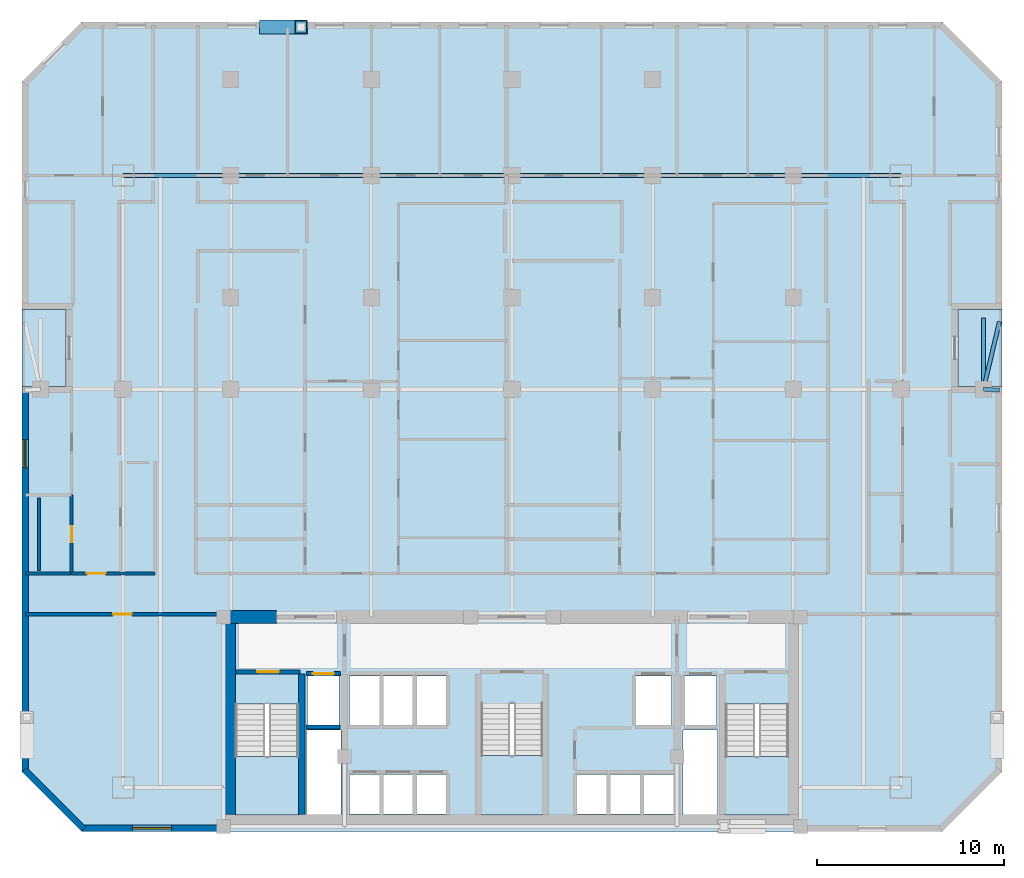
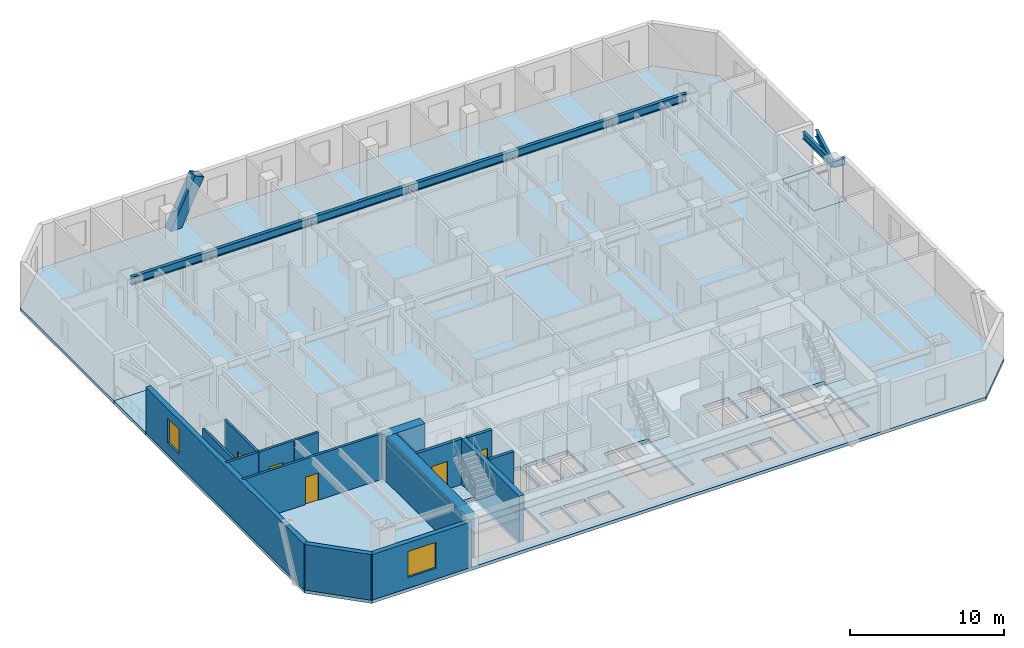
# One storey, part 2 of 10: 15 walls, 9 beams, 6 slabs, 5 doors, 2 windows, 1 member, 7 openings, 3 elements without a shape of their own.
"""IFC4 building model written with IfcOpenShell, lengths in metres."""

from ifc_helpers import new_model, si_unit, direction, frame, frame_2d, origin, origin_2d, place, context, subcontext, project, spatial, polyline, rectangle, hollow_rectangle, i_section, outline, extrude, material, layer, layer_set, material_profile, profile_set, type_object, element, fill, aggregate, save


model = new_model("IFC4")

# Units and contexts
model_context = context("Model", 3, precision=1e-05, world=origin(), true_north=direction((0.0, 1.0)))
body_context = subcontext(model_context, "Body", "Model", "MODEL_VIEW")
ifc_project = project(units=[si_unit("LENGTHUNIT", "METRE"), si_unit("AREAUNIT", "SQUARE_METRE"), si_unit("VOLUMEUNIT", "CUBIC_METRE"), si_unit("PLANEANGLEUNIT", "RADIAN"), si_unit("MASSUNIT", "GRAM", prefix="KILO")], contexts=[model_context])

# Site, building, storey
site_placement = place(None, origin())
site = spatial("IfcSite", under=ifc_project, at=site_placement, CompositionType="ELEMENT")
building_placement = place(site_placement, origin())
building = spatial("IfcBuilding", under=site, at=building_placement, Name="Ventersveld Concourse Tower", CompositionType="ELEMENT")
storey_placement = place(building_placement, frame((0.0, 0.0, 96.449951171875)))
storey = spatial("IfcBuildingStorey", under=building, at=storey_placement, Name="L23", CompositionType="ELEMENT", Elevation=96.449951171875)

# Beams
ifc_material_1 = material(Name="Structural steel S355J2", Category="steel")
ifc_material_profile_1 = material_profile(ifc_material_1, i_section(OverallWidth=0.230224609375, OverallDepth=0.6171875, WebThickness=0.01318359375, FlangeThickness=0.022216796875, FilletRadius=0.0126953125, at=origin_2d()), Name="UB 610x229x140")
ifc_profile_set_1 = profile_set([ifc_material_profile_1], Name="Structural steel S355J2")
beam_type_1 = type_object("IfcBeamType", Name="GRD-UB610", PredefinedType="USERDEFINED", material=ifc_profile_set_1)
beam_1_placement = place(storey_placement, frame((8.0, 35.0, 3.29150390625), z_axis=(1.0, 0.0, 0.0), x_axis=(0.0, 1.0, 0.0)))
element("IfcBeam", 1, at=beam_1_placement, inside=storey, type_object=beam_type_1, Name="L23 E-W Grid Girder Y=35.00 #1", ObjectType="GIRDER", PredefinedType="USERDEFINED", context=body_context, shape_type="SweptSolid", body=[
    extrude(i_section(OverallWidth=0.230224609375, OverallDepth=0.6171875, WebThickness=0.01318359375, FlangeThickness=0.022216796875, FilletRadius=0.0126953125, at=origin_2d()), origin(), (0.0, 0.0, 1.0), 5.75),
])
for number, where, z_axis, x_axis, name in (
    (2, (13.75, 35.0, 3.29150390625), (1.0, 0.0, 0.0), (0.0, 1.0, 0.0), "L23 E-W Grid Girder Y=35.00 #2"),
    (3, (21.25, 35.0, 3.29150390625), (1.0, 0.0, 0.0), (0.0, 1.0, 0.0), "L23 E-W Grid Girder Y=35.00 #3"),
    (4, (28.75, 35.0, 3.29150390625), (1.0, 0.0, 0.0), (0.0, 1.0, 0.0), "L23 E-W Grid Girder Y=35.00 #4"),
    (5, (36.25, 35.0, 3.29150390625), (1.0, 0.0, 0.0), (0.0, 1.0, 0.0), "L23 E-W Grid Girder Y=35.00 #5"),
):
    element("IfcBeam", number, at=place(storey_placement, frame(where, z_axis=z_axis, x_axis=x_axis)), inside=storey, type_object=beam_type_1, Name=name, ObjectType="GIRDER", PredefinedType="USERDEFINED", context=body_context, shape_type="SweptSolid", body=[
        extrude(i_section(OverallWidth=0.230224609375, OverallDepth=0.6171875, WebThickness=0.01318359375, FlangeThickness=0.022216796875, FilletRadius=0.0126953125, at=origin_2d()), origin(), (0.0, 0.0, 1.0), 7.5),
    ])
beam_2_placement = place(storey_placement, frame((43.75, 35.0, 3.29150390625), z_axis=(1.0, 0.0, 0.0), x_axis=(0.0, 1.0, 0.0)))
element("IfcBeam", 6, at=beam_2_placement, inside=storey, type_object=beam_type_1, Name="L23 E-W Grid Girder Y=35.00 #6", ObjectType="GIRDER", PredefinedType="USERDEFINED", context=body_context, shape_type="SweptSolid", body=[
    extrude(i_section(OverallWidth=0.230224609375, OverallDepth=0.6171875, WebThickness=0.01318359375, FlangeThickness=0.022216796875, FilletRadius=0.0126953125, at=origin_2d()), origin(), (0.0, 0.0, 1.0), 5.75),
])

# Member
ifc_material_2 = material(Name="Structural steel S355ML", Category="steel")
ifc_material_profile_2 = material_profile(ifc_material_2, hollow_rectangle(XDim=0.75, YDim=0.75, WallThickness=0.044921875, at=origin_2d()), Name="BOX 750x750x45")
ifc_profile_set_2 = profile_set([ifc_material_profile_2], Name="Structural steel S355ML")
member_type = type_object("IfcMemberType", Name="MB-750x750", PredefinedType="BRACE", material=ifc_profile_set_2)
member_placement = place(storey_placement, frame((15.625, 42.919921875, -0.25), z_axis=(0.437839464193, 0.0, 0.899053170616), x_axis=(0.0, 1.0, 0.0)))
element("IfcMember", 7, at=member_placement, inside=storey, type_object=member_type, Name="L23 Exterior Mega-Brace N (Module M05)", PredefinedType="BRACE", context=body_context, shape_type="SweptSolid", body=[
    extrude(hollow_rectangle(XDim=0.75, YDim=0.75, WallThickness=0.044921875, at=origin_2d()), origin(), (0.0, 0.0, 1.0), 4.282470703125),
])

# Beams
ifc_material_profile_3 = material_profile(ifc_material_1, i_section(OverallWidth=0.2119140625, OverallDepth=0.54443359375, WebThickness=0.0126953125, FlangeThickness=0.021240234375, FilletRadius=0.0126953125, at=origin_2d()), Name="UB 533x210x122")
ifc_profile_set_3 = profile_set([ifc_material_profile_3], Name="Structural steel S355J2")
beam_type_2 = type_object("IfcBeamType", Name="SPD-UB533", PredefinedType="SPANDREL", material=ifc_profile_set_3)
beam_3_placement = place(storey_placement, frame((53.89990234375, 23.60009765625, 3.32763671875), z_axis=(0.0, 1.0, 0.0), x_axis=(-1.0, 0.0, 0.0)))
element("IfcBeam", 8, at=beam_3_placement, inside=storey, type_object=beam_type_2, Name="L23 East Valley Spine Girder", PredefinedType="SPANDREL", context=body_context, shape_type="SweptSolid", body=[
    extrude(i_section(OverallWidth=0.2119140625, OverallDepth=0.54443359375, WebThickness=0.0126953125, FlangeThickness=0.021240234375, FilletRadius=0.0126953125, at=origin_2d()), origin(), (0.0, 0.0, 1.0), 3.7998046875),
])
beam_4_placement = place(storey_placement, frame((53.89990234375, 23.60009765625, 3.32763671875), z_axis=(0.998271406093, -0.058772440623, 0.0), x_axis=(0.058772440623, 0.998271406093, 0.0)))
element("IfcBeam", 9, at=beam_4_placement, inside=storey, type_object=beam_type_2, Name="L23 East Valley Corner Bracket 1", PredefinedType="SPANDREL", context=body_context, shape_type="SweptSolid", body=[
    extrude(i_section(OverallWidth=0.2119140625, OverallDepth=0.54443359375, WebThickness=0.0126953125, FlangeThickness=0.021240234375, FilletRadius=0.0126953125, at=origin_2d()), origin(), (0.0, 0.0, 1.0), 0.8515625),
])
beam_5_placement = place(storey_placement, frame((53.89990234375, 23.60009765625, 3.32763671875), z_axis=(0.229826547993, 0.973231605445, 0.0), x_axis=(-0.973231605445, 0.229826547993, 0.0)))
element("IfcBeam", 10, at=beam_5_placement, inside=storey, type_object=beam_type_2, Name="L23 East Valley Corner Bracket 2", PredefinedType="SPANDREL", context=body_context, shape_type="SweptSolid", body=[
    extrude(i_section(OverallWidth=0.2119140625, OverallDepth=0.54443359375, WebThickness=0.0126953125, FlangeThickness=0.021240234375, FilletRadius=0.0126953125, at=origin_2d()), origin(), (0.0, 0.0, 1.0), 3.698974609375),
])

# Slabs
ifc_material_3 = material(Name="Concrete C50/60", Category="concrete")
ifc_layer_1 = layer(ifc_material_3, 0.25)
ifc_layer_set_1 = layer_set([ifc_layer_1], Name="Concrete C50/60")
slab_type_1 = type_object("IfcSlabType", Name="SL-FLR-250", PredefinedType="FLOOR", material=ifc_layer_set_1)
slab_1_placement = place(storey_placement, frame((0.0, 0.0, -0.25)))
element("IfcSlab", 11, at=slab_1_placement, inside=storey, type_object=slab_type_1, Name="L23 Composite Floor Slab", PredefinedType="FLOOR", context=body_context, shape_type="SweptSolid", body=[
    extrude(outline(polyline([(5.800048828125, 0.0), (51.699951171875, 0.0), (54.89990234375, 3.199951171875), (54.89990234375, 23.75), (52.550048828125, 23.75), (52.550048828125, 27.85009765625), (54.89990234375, 27.85009765625), (54.89990234375, 40.0), (51.699951171875, 43.199951171875), (5.800048828125, 43.199951171875), (2.60009765625, 40.0), (2.60009765625, 27.85009765625), (4.949951171875, 27.85009765625), (4.949951171875, 23.75), (2.60009765625, 23.75), (2.60009765625, 3.199951171875), (5.800048828125, 0.0)]), holes=[polyline([(13.97998046875, 6.794921875), (13.97998046875, 0.89990234375), (17.3798828125, 0.89990234375), (17.3798828125, 6.794921875), (13.97998046875, 6.794921875)]), polyline([(40.1201171875, 6.794921875), (40.1201171875, 0.89990234375), (43.52001953125, 0.89990234375), (43.52001953125, 6.794921875), (40.1201171875, 6.794921875)]), polyline([(27.10009765625, 6.844970703125), (27.10009765625, 0.89990234375), (30.39990234375, 0.89990234375), (30.39990234375, 6.844970703125), (27.10009765625, 6.844970703125)]), polyline([(17.85009765625, 5.699951171875), (19.530029296875, 5.699951171875), (19.530029296875, 8.300048828125), (17.85009765625, 8.300048828125), (17.85009765625, 5.699951171875)]), polyline([(37.969970703125, 5.699951171875), (39.64990234375, 5.699951171875), (39.64990234375, 8.300048828125), (37.969970703125, 8.300048828125), (37.969970703125, 5.699951171875)]), polyline([(35.35009765625, 5.699951171875), (37.25, 5.699951171875), (37.25, 8.300048828125), (35.35009765625, 8.300048828125), (35.35009765625, 5.699951171875)]), polyline([(20.090087890625, 0.949951171875), (21.68994140625, 0.949951171875), (21.68994140625, 3.050048828125), (20.090087890625, 3.050048828125), (20.090087890625, 0.949951171875)]), polyline([(21.8701171875, 0.949951171875), (23.469970703125, 0.949951171875), (23.469970703125, 3.050048828125), (21.8701171875, 3.050048828125), (21.8701171875, 0.949951171875)]), polyline([(23.64990234375, 0.949951171875), (25.25, 0.949951171875), (25.25, 3.050048828125), (23.64990234375, 3.050048828125), (23.64990234375, 0.949951171875)]), polyline([(32.2099609375, 0.949951171875), (33.81005859375, 0.949951171875), (33.81005859375, 3.050048828125), (32.2099609375, 3.050048828125), (32.2099609375, 0.949951171875)]), polyline([(33.989990234375, 0.949951171875), (35.590087890625, 0.949951171875), (35.590087890625, 3.050048828125), (33.989990234375, 3.050048828125), (33.989990234375, 0.949951171875)]), polyline([(35.77001953125, 0.949951171875), (37.3701171875, 0.949951171875), (37.3701171875, 3.050048828125), (35.77001953125, 3.050048828125), (35.77001953125, 0.949951171875)]), polyline([(20.090087890625, 5.699951171875), (21.68994140625, 5.699951171875), (21.68994140625, 8.300048828125), (20.090087890625, 8.300048828125), (20.090087890625, 5.699951171875)]), polyline([(21.8701171875, 5.699951171875), (23.469970703125, 5.699951171875), (23.469970703125, 8.300048828125), (21.8701171875, 8.300048828125), (21.8701171875, 5.699951171875)]), polyline([(23.64990234375, 5.699951171875), (25.25, 5.699951171875), (25.25, 8.300048828125), (23.64990234375, 8.300048828125), (23.64990234375, 5.699951171875)]), polyline([(17.780029296875, 0.919921875), (19.6201171875, 0.919921875), (19.6201171875, 5.419921875), (17.780029296875, 5.419921875), (17.780029296875, 0.919921875)]), polyline([(37.8798828125, 0.919921875), (39.719970703125, 0.919921875), (39.719970703125, 5.419921875), (37.8798828125, 5.419921875), (37.8798828125, 0.919921875)])]), origin(), (0.0, 0.0, 1.0), 0.25),
])
slab_2_placement = place(storey_placement, frame((0.0, 0.0, -0.25)))
element("IfcSlab", 12, at=slab_2_placement, inside=storey, type_object=slab_type_1, Name="L23 Outdoor Terrace Slab NOTCH-W", PredefinedType="FLOOR", context=body_context, shape_type="SweptSolid", body=[
    extrude(outline(polyline([(2.60009765625, 23.75), (4.949951171875, 23.75), (4.949951171875, 27.85009765625), (2.60009765625, 27.85009765625), (2.60009765625, 23.75)])), origin(), (0.0, 0.0, 1.0), 0.25),
])
slab_3_placement = place(storey_placement, frame((0.0, 0.0, -0.25)))
element("IfcSlab", 13, at=slab_3_placement, inside=storey, type_object=slab_type_1, Name="L23 Outdoor Terrace Slab NOTCH-E", PredefinedType="FLOOR", context=body_context, shape_type="SweptSolid", body=[
    extrude(outline(polyline([(52.550048828125, 23.75), (54.89990234375, 23.75), (54.89990234375, 27.85009765625), (52.550048828125, 27.85009765625), (52.550048828125, 23.75)])), origin(), (0.0, 0.0, 1.0), 0.25),
])

# Stair, slab
stair_type_1 = type_object("IfcStairType", Name="ST-DOG-160", PredefinedType="HALF_TURN_STAIR", material=ifc_material_3)
stair_1_placement = place(storey_placement, origin())
stair_1 = element("IfcStair", 14, at=stair_1_placement, inside=storey, type_object=stair_type_1, Name="L23 Protected Tower Escape Stair ST-01", PredefinedType="HALF_TURN_STAIR")
ifc_layer_2 = layer(ifc_material_3, 0.199951171875)
ifc_layer_set_2 = layer_set([ifc_layer_2], Name="Concrete C50/60")
slab_type_2 = type_object("IfcSlabType", Name="SL-LND-200", PredefinedType="LANDING", material=ifc_layer_set_2)
slab_4_placement = place(storey_placement, frame((0.0, 0.0, 1.72509765625)))
slab_4 = element("IfcSlab", 15, at=slab_4_placement, type_object=slab_type_2, Name="ST-01 landing 1", PredefinedType="LANDING", context=body_context, shape_type="SweptSolid", body=[
    extrude(outline(polyline([(13.97998046875, 4.0), (13.97998046875, 0.89990234375), (17.3798828125, 0.89990234375), (17.3798828125, 4.0), (13.97998046875, 4.0)])), origin(), (0.0, 0.0, 1.0), 0.199951171875),
])
aggregate(stair_1, [slab_4])

stair_2_placement = place(storey_placement, origin())
stair_2 = element("IfcStair", 16, at=stair_2_placement, inside=storey, type_object=stair_type_1, Name="L23 Protected Tower Escape Stair ST-02", PredefinedType="HALF_TURN_STAIR")
slab_5_placement = place(storey_placement, frame((0.0, 0.0, 1.72509765625)))
slab_5 = element("IfcSlab", 17, at=slab_5_placement, type_object=slab_type_2, Name="ST-02 landing 1", PredefinedType="LANDING", context=body_context, shape_type="SweptSolid", body=[
    extrude(outline(polyline([(40.1201171875, 4.0), (40.1201171875, 0.89990234375), (43.52001953125, 0.89990234375), (43.52001953125, 4.0), (40.1201171875, 4.0)])), origin(), (0.0, 0.0, 1.0), 0.199951171875),
])
aggregate(stair_2, [slab_5])

stair_type_2 = type_object("IfcStairType", Name="ST-DOG-155", PredefinedType="HALF_TURN_STAIR", material=ifc_material_3)
stair_3_placement = place(storey_placement, origin())
stair_3 = element("IfcStair", 18, at=stair_3_placement, inside=storey, type_object=stair_type_2, Name="L23 Protected Central Core Escape Stair ST-03", PredefinedType="HALF_TURN_STAIR")
slab_6_placement = place(storey_placement, frame((0.0, 0.0, 1.72509765625)))
slab_6 = element("IfcSlab", 19, at=slab_6_placement, type_object=slab_type_2, Name="ST-03 landing 1", PredefinedType="LANDING", context=body_context, shape_type="SweptSolid", body=[
    extrude(outline(polyline([(27.10009765625, 4.050048828125), (27.10009765625, 0.89990234375), (30.39990234375, 0.89990234375), (30.39990234375, 4.050048828125), (27.10009765625, 4.050048828125)])), origin(), (0.0, 0.0, 1.0), 0.199951171875),
])
aggregate(stair_3, [slab_6])

# Walls
ifc_material_4 = material(Name="Concrete C60/75", Category="concrete")
ifc_layer_3 = layer(ifc_material_4, 0.35009765625)
ifc_layer_set_3 = layer_set([ifc_layer_3], Name="Concrete C60/75")
wall_type_1 = type_object("IfcWallType", Name="WL-CORE-350L", PredefinedType="SHEAR", material=ifc_layer_set_3)
wall_1_placement = place(storey_placement, frame((17.5400390625, 0.919921875, 0.0), z_axis=(0.0, 0.0, 1.0), x_axis=(0.0, 1.0, 0.0)))
element("IfcWall", 20, at=wall_1_placement, inside=storey, type_object=wall_type_1, Name="L23 Core Internal Shear Web W-ST1-E", PredefinedType="SHEAR", context=body_context, shape_type="SweptSolid", body=[
    extrude(rectangle(XDim=7.5, YDim=0.35009765625, at=frame_2d((3.75, 0.0))), origin(), (0.0, 0.0, 1.0), 3.60009765625),
])
ifc_layer_4 = layer(ifc_material_4, 0.699951171875)
ifc_layer_set_4 = layer_set([ifc_layer_4], Name="Concrete C60/75")
wall_type_2 = type_object("IfcWallType", Name="WL-CORE-700", PredefinedType="SHEAR", material=ifc_layer_set_4)
wall_2_placement = place(storey_placement, frame((13.64990234375, 0.919921875, 0.0), z_axis=(0.0, 0.0, 1.0), x_axis=(0.0, 1.0, 0.0)))
element("IfcWall", 21, at=wall_2_placement, inside=storey, type_object=wall_type_2, Name="L23 Rear Core West Shear Wall", PredefinedType="SHEAR", context=body_context, shape_type="SweptSolid", body=[
    extrude(rectangle(XDim=10.530029296875, YDim=0.699951171875, at=frame_2d((5.26513671875, 0.0))), origin(), (0.0, 0.0, 1.0), 3.60009765625),
])
wall_3_placement = place(storey_placement, frame((13.25, 11.449951171875, 0.0), z_axis=(0.0, 0.0, 1.0), x_axis=(1.0, 0.0, 0.0)))
element("IfcWall", 22, at=wall_3_placement, inside=storey, type_object=wall_type_2, Name="L23 Rear Core North Shear Wall NW", PredefinedType="SHEAR", context=body_context, shape_type="SweptSolid", body=[
    extrude(rectangle(XDim=2.949951171875, YDim=0.699951171875, at=frame_2d((1.47509765625, 0.0))), origin(), (0.0, 0.0, 1.0), 3.60009765625),
])

# Wall, opening, door
ifc_material_5 = material(Name="Fire-rated autoclaved aerated masonry blockwork", Category="masonry")
ifc_layer_5 = layer(ifc_material_5, 0.179931640625)
ifc_layer_set_5 = layer_set([ifc_layer_5], Name="Fire-rated autoclaved aerated masonry blockwork")
wall_type_3 = type_object("IfcWallType", Name="WL-CORR-180", PredefinedType="PARTITIONING", material=ifc_layer_set_5)
wall_4_placement = place(storey_placement, frame((2.81005859375, 11.60009765625, 0.0), z_axis=(0.0, 0.0, 1.0), x_axis=(1.0, 0.0, 0.0)))
wall_4 = element("IfcWall", 23, at=wall_4_placement, inside=storey, type_object=wall_type_3, Name="L23 Interior Partition SP-L23-SW-GAL-SP-L23-COR", PredefinedType="PARTITIONING", context=body_context, shape_type="SweptSolid", body=[
    extrude(rectangle(XDim=10.3349609375, YDim=0.179931640625, at=frame_2d((5.16748046875, 0.0))), origin(), (0.0, 0.0, 1.0), 3.60009765625),
])
opening_1_placement = place(wall_4_placement, frame((4.66748046875, 0.0, 0.0)))
opening_1 = element("IfcOpeningElement", 24, at=opening_1_placement, cuts=wall_4, Name="Opening FD3", PredefinedType="OPENING", context=body_context, shape_type="SweptSolid", body=[
    extrude(rectangle(XDim=1.0, YDim=2.14990234375, at=frame_2d((0.5, 1.074951171875))), frame((0.0, 0.10009765625, 0.0), z_axis=(0.0, -1.0, 0.0), x_axis=(1.0, 0.0, 0.0)), (0.0, 0.0, 1.0), 0.199951171875),
])
ifc_material_6 = material(Name="Solid-core hardwood veneer timber", Category="wood")
door_type_1 = type_object("IfcDoorType", Name="DR-FLAT-100", OperationType="NOTDEFINED", PredefinedType="DOOR", material=ifc_material_6)
door_1_placement = place(opening_1_placement, origin())
door_1 = element("IfcDoor", 25, at=door_1_placement, inside=storey, type_object=door_type_1, Name="L23 Interior Door SP-L23-SW-GAL to SP-L23-COR (D-L23-1116)", OperationType="SINGLE_SWING_RIGHT", OverallHeight=2.14990234375, OverallWidth=1.0, PredefinedType="DOOR", context=body_context, shape_type="SweptSolid", body=[
    extrude(rectangle(XDim=1.0, YDim=2.14990234375, at=frame_2d((0.5, 1.074951171875))), frame((0.0, 0.02490234375, 0.0), z_axis=(0.0, -1.0, 0.0), x_axis=(1.0, 0.0, 0.0)), (0.0, 0.0, 1.0), 0.050048828125),
])
fill(opening_1, door_1)

wall_5_placement = place(storey_placement, frame((5.251953125, 13.77001953125, 0.0), z_axis=(0.0, 0.0, 1.0), x_axis=(1.0, 0.0, 0.0)))
wall_5 = element("IfcWall", 26, at=wall_5_placement, inside=storey, type_object=wall_type_3, Name="L23 Interior Partition SP-L23-COR-SP-L23-23NW-LIV", PredefinedType="PARTITIONING", context=body_context, shape_type="SweptSolid", body=[
    extrude(rectangle(XDim=2.635986328125, YDim=0.179931640625, at=frame_2d((1.31787109375, 0.0))), origin(), (0.0, 0.0, 1.0), 3.60009765625),
])
opening_2_placement = place(wall_5_placement, frame((0.818115234375, 0.0, 0.0)))
opening_2 = element("IfcOpeningElement", 27, at=opening_2_placement, cuts=wall_5, Name="Opening FD3", PredefinedType="OPENING", context=body_context, shape_type="SweptSolid", body=[
    extrude(rectangle(XDim=1.0, YDim=2.14990234375, at=frame_2d((0.5, 1.074951171875))), frame((0.0, 0.10009765625, 0.0), z_axis=(0.0, -1.0, 0.0), x_axis=(1.0, 0.0, 0.0)), (0.0, 0.0, 1.0), 0.199951171875),
])
door_2_placement = place(opening_2_placement, origin())
door_2 = element("IfcDoor", 28, at=door_2_placement, inside=storey, type_object=door_type_1, Name="L23 Interior Door SP-L23-COR to SP-L23-23NW-LIV (FD-L23-1118)", OperationType="SINGLE_SWING_RIGHT", OverallHeight=2.14990234375, OverallWidth=1.0, PredefinedType="DOOR", context=body_context, shape_type="SweptSolid", body=[
    extrude(rectangle(XDim=1.0, YDim=2.14990234375, at=frame_2d((0.5, 1.074951171875))), frame((0.0, 0.02490234375, 0.0), z_axis=(0.0, -1.0, 0.0), x_axis=(1.0, 0.0, 0.0)), (0.0, 0.0, 1.0), 0.050048828125),
])
fill(opening_2, door_2)

# Walls
wall_6_placement = place(storey_placement, frame((2.81005859375, 13.77001953125, 0.0), z_axis=(0.0, 0.0, 1.0), x_axis=(1.0, 0.0, 0.0)))
element("IfcWall", 29, at=wall_6_placement, inside=storey, type_object=wall_type_3, Name="L23 Interior Partition SP-L23-COR-SP-L23-23NW-BATH", PredefinedType="PARTITIONING", context=body_context, shape_type="SweptSolid", body=[
    extrude(rectangle(XDim=2.411865234375, YDim=0.179931640625, at=frame_2d((1.2060546875, 0.0))), origin(), (0.0, 0.0, 1.0), 3.60009765625),
])
wall_7_placement = place(storey_placement, frame((7.91796875, 13.77001953125, 0.0), z_axis=(0.0, 0.0, 1.0), x_axis=(1.0, 0.0, 0.0)))
element("IfcWall", 30, at=wall_7_placement, inside=storey, type_object=wall_type_3, Name="L23 Interior Partition SP-L23-COR-SP-L23-23NW-KIT", PredefinedType="PARTITIONING", context=body_context, shape_type="SweptSolid", body=[
    extrude(rectangle(XDim=1.797119140625, YDim=0.179931640625, at=frame_2d((0.8984375, 0.0))), origin(), (0.0, 0.0, 1.0), 3.60009765625),
])
ifc_layer_6 = layer(ifc_material_5, 0.219970703125)
ifc_layer_set_6 = layer_set([ifc_layer_6], Name="Fire-rated autoclaved aerated masonry blockwork")
wall_type_4 = type_object("IfcWallType", Name="WL-HOIST-220", PredefinedType="SOLIDWALL", material=ifc_layer_set_6)
wall_8_placement = place(storey_placement, frame((17.800048828125, 5.590087890625, 0.0), z_axis=(0.0, 0.0, 1.0), x_axis=(1.0, 0.0, 0.0)))
element("IfcWall", 31, at=wall_8_placement, inside=storey, type_object=wall_type_4, Name="L23 Lift Hoistway Back Wall FFL-01", PredefinedType="SOLIDWALL", context=body_context, shape_type="SweptSolid", body=[
    extrude(rectangle(XDim=1.780029296875, YDim=0.219970703125, at=frame_2d((0.89013671875, 0.0))), origin(), (0.0, 0.0, 1.0), 3.60009765625),
])

# Wall, opening, door
wall_9_placement = place(storey_placement, frame((17.780029296875, 8.429931640625, 0.0), z_axis=(0.0, 0.0, 1.0), x_axis=(1.0, 0.0, 0.0)))
wall_9 = element("IfcWall", 32, at=wall_9_placement, inside=storey, type_object=wall_type_4, Name="L23 Lift Hoistway Front Wall FFL-01", PredefinedType="SOLIDWALL", context=body_context, shape_type="SweptSolid", body=[
    extrude(rectangle(XDim=1.820068359375, YDim=0.219970703125, at=frame_2d((0.91015625, 0.0))), origin(), (0.0, 0.0, 1.0), 3.60009765625),
])
opening_3_placement = place(wall_9_placement, frame((0.35009765625, 0.0, 0.0)))
opening_3 = element("IfcOpeningElement", 33, at=opening_3_placement, cuts=wall_9, Name="Opening LD1", PredefinedType="OPENING", context=body_context, shape_type="SweptSolid", body=[
    extrude(rectangle(XDim=1.1201171875, YDim=2.25, at=frame_2d((0.56005859375, 1.125))), frame((0.0, 0.1201171875, 0.0), z_axis=(0.0, -1.0, 0.0), x_axis=(1.0, 0.0, 0.0)), (0.0, 0.0, 1.0), 0.239990234375),
])
ifc_material_7 = material(Name="Brushed stainless steel 316", Category="steel")
door_type_2 = type_object("IfcDoorType", Name="LD-FF-112", OperationType="SLIDING_TO_LEFT", PredefinedType="DOOR", material=ifc_material_7)
door_3_placement = place(opening_3_placement, origin())
door_3 = element("IfcDoor", 34, at=door_3_placement, inside=storey, type_object=door_type_2, Name="L23 Lift landing door FFL-01 (LD-L23-FFL-01)", OperationType="SLIDING_TO_LEFT", OverallHeight=2.25, OverallWidth=1.1201171875, PredefinedType="DOOR", context=body_context, shape_type="SweptSolid", body=[
    extrude(rectangle(XDim=1.1201171875, YDim=2.25, at=frame_2d((0.56005859375, 1.125))), frame((0.0, 0.02490234375, 0.0), z_axis=(0.0, -1.0, 0.0), x_axis=(1.0, 0.0, 0.0)), (0.0, 0.0, 1.0), 0.050048828125),
])
fill(opening_3, door_3)

wall_10_placement = place(storey_placement, frame((14.0400390625, 8.52001953125, 0.0), z_axis=(0.0, 0.0, 1.0), x_axis=(1.0, 0.0, 0.0)))
wall_10 = element("IfcWall", 35, at=wall_10_placement, inside=storey, type_object=wall_type_4, Name="L23 Escape Stair ST01 Fire Wall", PredefinedType="SOLIDWALL", context=body_context, shape_type="SweptSolid", body=[
    extrude(rectangle(XDim=3.39990234375, YDim=0.219970703125, at=frame_2d((1.699951171875, 0.0))), origin(), (0.0, 0.0, 1.0), 3.60009765625),
])
opening_4_placement = place(wall_10_placement, frame((1.125, 0.0, 0.0)))
opening_4 = element("IfcOpeningElement", 36, at=opening_4_placement, cuts=wall_10, Name="Opening FD1", PredefinedType="OPENING", context=body_context, shape_type="SweptSolid", body=[
    extrude(rectangle(XDim=1.14990234375, YDim=2.199951171875, at=frame_2d((0.574951171875, 1.10009765625))), frame((0.0, 0.1201171875, 0.0), z_axis=(0.0, -1.0, 0.0), x_axis=(1.0, 0.0, 0.0)), (0.0, 0.0, 1.0), 0.239990234375),
])
ifc_material_8 = material(Name="Galvanised painted steel", Category="steel")
door_type_3 = type_object("IfcDoorType", Name="DR-STAIR-115", OperationType="NOTDEFINED", PredefinedType="DOOR", material=ifc_material_8)
door_4_placement = place(opening_4_placement, origin())
door_4 = element("IfcDoor", 37, at=door_4_placement, inside=storey, type_object=door_type_3, Name="L23 Escape Stair Door ST01 (SD-L23-1107)", OperationType="SINGLE_SWING_LEFT", OverallHeight=2.199951171875, OverallWidth=1.14990234375, PredefinedType="DOOR", context=body_context, shape_type="SweptSolid", body=[
    extrude(rectangle(XDim=1.14990234375, YDim=2.199951171875, at=frame_2d((0.574951171875, 1.10009765625))), frame((0.0, 0.02490234375, 0.0), z_axis=(0.0, -1.0, 0.0), x_axis=(1.0, 0.0, 0.0)), (0.0, 0.0, 1.0), 0.050048828125),
])
fill(opening_4, door_4)

# Wall, opening, window
ifc_material_9 = material(Name="Precast concrete C45/55", Category="concrete")
ifc_layer_7 = layer(ifc_material_9, 0.35009765625)
ifc_layer_set_7 = layer_set([ifc_layer_7], Name="Precast concrete C45/55")
wall_type_5 = type_object("IfcWallType", Name="WL-PREC-350", PredefinedType="SOLIDWALL", material=ifc_layer_set_7)
wall_11_placement = place(storey_placement, frame((5.840087890625, 0.179931640625, 0.0), z_axis=(0.0, 0.0, 1.0), x_axis=(1.0, 0.0, 0.0)))
wall_11 = element("IfcWall", 38, at=wall_11_placement, inside=storey, type_object=wall_type_5, Name="L23 South-West Flank Precast Wall", PredefinedType="SOLIDWALL", context=body_context, shape_type="SweptSolid", body=[
    extrude(rectangle(XDim=7.409912109375, YDim=0.35009765625, at=frame_2d((3.705078125, 0.0))), origin(), (0.0, 0.0, 1.0), 3.60009765625),
])
opening_5_placement = place(wall_11_placement, frame((2.655029296875, 0.0, 0.85009765625)))
opening_5 = element("IfcOpeningElement", 39, at=opening_5_placement, cuts=wall_11, Name="Opening W7", PredefinedType="OPENING", context=body_context, shape_type="SweptSolid", body=[
    extrude(rectangle(XDim=2.10009765625, YDim=2.050048828125, at=frame_2d((1.050048828125, 1.02490234375))), frame((0.0, 0.18505859375, 0.0), z_axis=(0.0, -1.0, 0.0), x_axis=(1.0, 0.0, 0.0)), (0.0, 0.0, 1.0), 0.3701171875),
])
ifc_material_10 = material(Name="Tempered acoustic Low-E IGU", Category="glass")
window_type_1 = type_object("IfcWindowType", Name="WIN-210x205", PartitioningType="SINGLE_PANEL", PredefinedType="WINDOW", material=ifc_material_10)
window_1_placement = place(opening_5_placement, origin())
window_1 = element("IfcWindow", 40, at=window_1_placement, inside=storey, type_object=window_type_1, Name="L23 Punched Low-E Window W-0255", OverallHeight=2.050048828125, OverallWidth=2.10009765625, PartitioningType="SINGLE_PANEL", PredefinedType="WINDOW", context=body_context, shape_type="SweptSolid", body=[
    extrude(rectangle(XDim=2.10009765625, YDim=2.050048828125, at=frame_2d((1.050048828125, 1.02490234375))), frame((0.0, 0.030029296875, 0.0), z_axis=(0.0, -1.0, 0.0), x_axis=(1.0, 0.0, 0.0)), (0.0, 0.0, 1.0), 0.06005859375),
])
fill(opening_5, window_1)

wall_12_placement = place(storey_placement, frame((2.77490234375, 23.7099609375, 0.0), z_axis=(0.0, 0.0, 1.0), x_axis=(0.0, -1.0, 0.0)))
wall_12 = element("IfcWall", 41, at=wall_12_placement, inside=storey, type_object=wall_type_5, Name="L23 Highveld Precast Facade Wall E15", PredefinedType="SOLIDWALL", context=body_context, shape_type="SweptSolid", body=[
    extrude(rectangle(XDim=20.469970703125, YDim=0.35009765625, at=frame_2d((10.23486328125, 0.0))), origin(), (0.0, 0.0, 1.0), 3.60009765625),
])
opening_6_placement = place(wall_12_placement, frame((2.793701171875, 0.0, 0.89990234375)))
opening_6 = element("IfcOpeningElement", 42, at=opening_6_placement, cuts=wall_12, Name="Opening W1", PredefinedType="OPENING", context=body_context, shape_type="SweptSolid", body=[
    extrude(rectangle(XDim=1.5, YDim=1.949951171875, at=frame_2d((0.75, 0.97509765625))), frame((0.0, 0.18505859375, 0.0), z_axis=(0.0, -1.0, 0.0), x_axis=(1.0, 0.0, 0.0)), (0.0, 0.0, 1.0), 0.3701171875),
])
window_type_2 = type_object("IfcWindowType", Name="WIN-150x210", PartitioningType="SINGLE_PANEL", PredefinedType="WINDOW", material=ifc_material_10)
window_2_placement = place(opening_6_placement, origin())
window_2 = element("IfcWindow", 43, at=window_2_placement, inside=storey, type_object=window_type_2, Name="L23 Punched Low-E Window W-0258", OverallHeight=1.949951171875, OverallWidth=1.5, PartitioningType="SINGLE_PANEL", PredefinedType="WINDOW", context=body_context, shape_type="SweptSolid", body=[
    extrude(rectangle(XDim=1.5, YDim=1.949951171875, at=frame_2d((0.75, 0.97509765625))), frame((0.0, 0.030029296875, 0.0), z_axis=(0.0, -1.0, 0.0), x_axis=(1.0, 0.0, 0.0)), (0.0, 0.0, 1.0), 0.06005859375),
])
fill(opening_6, window_2)

# Wall
wall_13_placement = place(storey_placement, frame((2.751953125, 3.29541015625, 0.0), z_axis=(0.0, 0.0, 1.0), x_axis=(0.707134240044, -0.707079321262, 0.0)))
element("IfcWall", 44, at=wall_13_placement, inside=storey, type_object=wall_type_5, Name="L23 Highveld Precast Facade Wall E16", PredefinedType="SOLIDWALL", context=body_context, shape_type="SweptSolid", body=[
    extrude(rectangle(XDim=4.445556640625, YDim=0.35009765625, at=frame_2d((2.22265625, 0.0))), origin(), (0.0, 0.0, 1.0), 3.60009765625),
])

# Wall, opening, door
ifc_material_11 = material(Name="Autoclaved aerated masonry blockwork", Category="masonry")
ifc_layer_8 = layer(ifc_material_11, 0.1650390625)
ifc_layer_set_8 = layer_set([ifc_layer_8], Name="Autoclaved aerated masonry blockwork")
wall_type_6 = type_object("IfcWallType", Name="WL-WET-165", PredefinedType="PLUMBINGWALL", material=ifc_layer_set_8)
wall_14_placement = place(storey_placement, frame((5.257080078125, 13.764892578125, 0.0), z_axis=(0.0, 0.0, 1.0), x_axis=(0.0, 1.0, 0.0)))
wall_14 = element("IfcWall", 45, at=wall_14_placement, inside=storey, type_object=wall_type_6, Name="L23 Interior Partition SP-L23-23NW-LIV-SP-L23-23NW-BATH", PredefinedType="PLUMBINGWALL", context=body_context, shape_type="SweptSolid", body=[
    extrude(rectangle(XDim=4.197509765625, YDim=0.1650390625, at=frame_2d((2.0986328125, 0.0))), origin(), (0.0, 0.0, 1.0), 3.60009765625),
])
opening_7_placement = place(wall_14_placement, frame((1.673583984375, 0.0, 0.0)))
opening_7 = element("IfcOpeningElement", 46, at=opening_7_placement, cuts=wall_14, Name="Opening ID2", PredefinedType="OPENING", context=body_context, shape_type="SweptSolid", body=[
    extrude(rectangle(XDim=0.85009765625, YDim=2.10009765625, at=frame_2d((0.425048828125, 1.050048828125))), frame((0.0, 0.092529296875, 0.0), z_axis=(0.0, -1.0, 0.0), x_axis=(1.0, 0.0, 0.0)), (0.0, 0.0, 1.0), 0.18505859375),
])
door_type_4 = type_object("IfcDoorType", Name="DR-BATH-085", OperationType="NOTDEFINED", PredefinedType="DOOR", material=ifc_material_6)
door_5_placement = place(opening_7_placement, origin())
door_5 = element("IfcDoor", 47, at=door_5_placement, inside=storey, type_object=door_type_4, Name="L23 Interior Door SP-L23-23NW-LIV to SP-L23-23NW-BATH (D-L23-1122)", OperationType="SINGLE_SWING_RIGHT", OverallHeight=2.10009765625, OverallWidth=0.85009765625, PredefinedType="DOOR", context=body_context, shape_type="SweptSolid", body=[
    extrude(rectangle(XDim=0.85009765625, YDim=2.10009765625, at=frame_2d((0.425048828125, 1.050048828125))), frame((0.0, 0.02490234375, 0.0), z_axis=(0.0, -1.0, 0.0), x_axis=(1.0, 0.0, 0.0)), (0.0, 0.0, 1.0), 0.050048828125),
])
fill(opening_7, door_5)

# Wall
wall_15_placement = place(storey_placement, frame((3.52001953125, 13.93505859375, 0.0), z_axis=(0.0, 0.0, 1.0), x_axis=(0.0, 1.0, 0.0)))
element("IfcWall", 48, at=wall_15_placement, inside=storey, type_object=wall_type_6, Name="L23 Room Enclosure Wall SP-L23-23NW-BATH", PredefinedType="PLUMBINGWALL", context=body_context, shape_type="SweptSolid", body=[
    extrude(rectangle(XDim=3.857177734375, YDim=0.1650390625, at=frame_2d((1.9287109375, 0.0))), origin(), (0.0, 0.0, 1.0), 3.60009765625),
])

save(model, "model.ifc")
